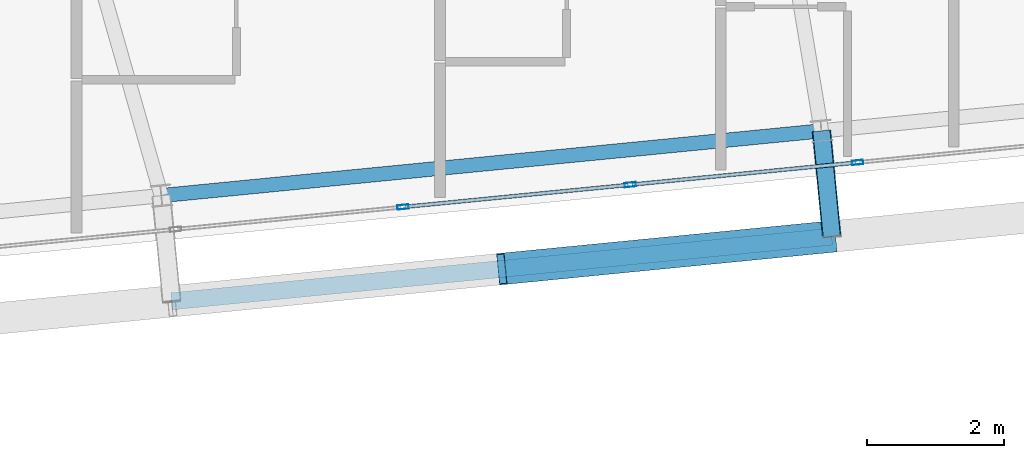
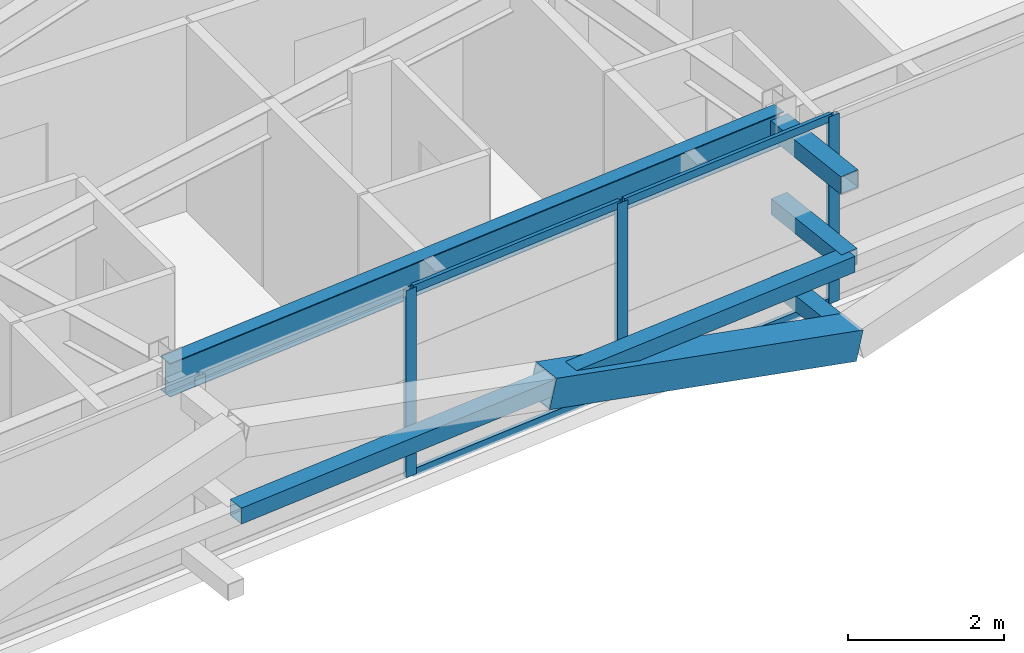
# One storey, part 18 of 53: 12 members, 1 beam, 1 element without a shape of its own.
"""IFC4 building model written with IfcOpenShell, lengths in metres."""

from ifc_helpers import new_model, si_unit, direction, frame, origin, origin_2d, place, context, subcontext, project, spatial, hollow_rectangle, i_section, extrude, source, transform, mapped, material, layer, layer_set, material_profile, profile_set, type_object, element, aggregate, save


model = new_model("IFC4")

# Units and contexts
model_context = context("Model", 3, precision=1e-05, world=origin(), true_north=direction((0.0, 1.0)))
body_context = subcontext(model_context, "Body", "Model", "MODEL_VIEW")
ifc_project = project(units=[si_unit("LENGTHUNIT", "METRE"), si_unit("AREAUNIT", "SQUARE_METRE"), si_unit("VOLUMEUNIT", "CUBIC_METRE"), si_unit("PLANEANGLEUNIT", "RADIAN"), si_unit("MASSUNIT", "GRAM", prefix="KILO")], contexts=[model_context])

# Site, building, storey
site_placement = place(None, origin())
site = spatial("IfcSite", under=ifc_project, at=site_placement, CompositionType="ELEMENT")
building_placement = place(site_placement, origin())
building = spatial("IfcBuilding", under=site, at=building_placement, Name="Taldren Reach Tower", CompositionType="ELEMENT")
storey_placement = place(building_placement, frame((0.0, 0.0, 68.25)))
storey = spatial("IfcBuildingStorey", under=building, at=storey_placement, Name="L20", CompositionType="ELEMENT", Elevation=68.25)

# Members
ifc_material_1 = material(Name="Steel Gr 450 (C450L0)", Category="steel")
ifc_material_profile_1 = material_profile(ifc_material_1, hollow_rectangle(XDim=0.27490234375, YDim=0.27490234375, WallThickness=0.00927734375, at=origin_2d()), Name="275x275x9.3SHS")
ifc_profile_set_1 = profile_set([ifc_material_profile_1], Name="Steel Gr 450 (C450L0)")
member_type_1 = type_object("IfcMemberType", Name="MB-TIE273", PredefinedType="STRUT", material=ifc_profile_set_1)
shared_shape_1 = source(origin(), body_context, "Body", "SweptSolid", [
    extrude(hollow_rectangle(XDim=0.27490234375, YDim=0.27490234375, WallThickness=0.00927734375, at=origin_2d()), origin(), (0.0, 0.0, 1.0), 1.5498046875),
])
member_1_placement = place(storey_placement, frame((53.469482421875, 3.698486328125, 2.64990234375), z_axis=(0.097507178627, -0.995234821595, 0.0), x_axis=(0.995234821595, 0.097507178627, 0.0)))
element("IfcMember", 1, at=member_1_placement, inside=storey, type_object=member_type_1, Name="Exoskeleton diaphragm tie strut B2-S5 L20", PredefinedType="STRUT", context=body_context, shape_type="MappedRepresentation", body=[
    mapped(shared_shape_1, transform((0.0, 0.0, 0.0), scale=1.0)),
])
ifc_material_2 = material(Name="Steel Gr 350 (C350L0)", Category="steel")
ifc_material_profile_2 = material_profile(ifc_material_2, hollow_rectangle(XDim=0.25, YDim=0.25, WallThickness=0.010009765625, at=origin_2d()), Name="250x250x10.0SHS")
ifc_profile_set_2 = profile_set([ifc_material_profile_2], Name="Steel Gr 350 (C350L0)")
member_type_2 = type_object("IfcMemberType", Name="MB-POST250", PredefinedType="POST", material=ifc_profile_set_2)
shared_shape_2 = source(origin(), body_context, "Body", "SweptSolid", [
    extrude(hollow_rectangle(XDim=0.25, YDim=0.25, WallThickness=0.010009765625, at=origin_2d()), origin(), (0.0, 0.0, 1.0), 1.5498046875),
])
for number, where, z_axis, x_axis, name in (
    (2, (53.469482421875, 3.698486328125, 0.219970703125), (0.097507178627, -0.995234821595, 0.0), (0.995234821595, 0.097507178627, 0.0), "Exoskeleton base diaphragm tie strut B2-S5 L20"),
    (3, (53.469482421875, 3.698486328125, 1.43505859375), (0.097507178627, -0.995234821595, 0.0), (0.995234821595, 0.097507178627, 0.0), "Exoskeleton mid-tier diaphragm tie B2-S5 L20"),
):
    element("IfcMember", number, at=place(storey_placement, frame(where, z_axis=z_axis, x_axis=x_axis)), inside=storey, type_object=member_type_2, Name=name, PredefinedType="POST", context=body_context, shape_type="MappedRepresentation", body=[
        mapped(shared_shape_2, transform((0.0, 0.0, 0.0), scale=1.0)),
    ])

# Beam
ifc_material_3 = material(Name="Steel Gr 350 (350PLUS)", Category="steel")
ifc_material_profile_3 = material_profile(ifc_material_3, i_section(OverallWidth=0.208984375, OverallDepth=0.528076171875, WebThickness=0.009521484375, FlangeThickness=0.01318359375, at=origin_2d()), Name="530UB82.0")
ifc_profile_set_3 = profile_set([ifc_material_profile_3], Name="Steel Gr 350 (350PLUS)")
beam_type = type_object("IfcBeamType", Name="SP-UB530B", PredefinedType="SPANDREL", material=ifc_profile_set_3)
shared_shape_3 = source(origin(), body_context, "Body", "SweptSolid", [
    extrude(i_section(OverallWidth=0.208984375, OverallDepth=0.528076171875, WebThickness=0.009521484375, FlangeThickness=0.01318359375, at=origin_2d()), origin(), (0.0, 0.0, 1.0), 9.68017578125),
])
beam_placement = place(storey_placement, frame((43.83544921875, 2.75390625, 2.666015625), z_axis=(0.995227852805, 0.097578281404, 0.0), x_axis=(-0.097578281404, 0.995227852805, 0.0)))
element("IfcBeam", 4, at=beam_placement, inside=storey, type_object=beam_type, Name="Perimeter spandrel B2 S4-S5 L20", PredefinedType="SPANDREL", context=body_context, shape_type="MappedRepresentation", body=[
    mapped(shared_shape_3, transform((0.0, 0.0, 0.0), scale=1.0)),
])

# Members
ifc_material_profile_4 = material_profile(ifc_material_1, hollow_rectangle(XDim=0.4599609375, YDim=0.4599609375, WallThickness=0.01611328125, at=origin_2d()), Name="460x460x16.0SHS")
ifc_profile_set_4 = profile_set([ifc_material_profile_4], Name="Steel Gr 450 (C450L0)")
member_type_3 = type_object("IfcMemberType", Name="MB-EXO457", PredefinedType="BRACE", material=ifc_profile_set_4)
shared_shape_4 = source(origin(), body_context, "Body", "SweptSolid", [
    extrude(hollow_rectangle(XDim=0.4599609375, YDim=0.4599609375, WallThickness=0.01611328125, at=origin_2d()), origin(), (0.0, 0.0, 1.0), 4.990234375),
])
member_2_placement = place(storey_placement, frame((53.62060546875, 2.156005859375, 0.219970703125), z_axis=(-0.965271056716, -0.094667992638, 0.243494883389), x_axis=(0.097605711627, -0.995225162995, 0.0)))
element("IfcMember", 5, at=member_2_placement, inside=storey, type_object=member_type_3, Name="Exoskeleton Diagrid Brace B2-S4 L20", PredefinedType="BRACE", context=body_context, shape_type="MappedRepresentation", body=[
    mapped(shared_shape_4, transform((0.0, 0.0, 0.0), scale=1.0)),
])
shared_shape_5 = source(origin(), body_context, "Body", "SweptSolid", [
    extrude(hollow_rectangle(XDim=0.25, YDim=0.25, WallThickness=0.010009765625, at=origin_2d()), origin(), (0.0, 0.0, 1.0), 9.679931640625),
])
member_3_placement = place(storey_placement, frame((43.98681640625, 1.21142578125, 1.43505859375), z_axis=(0.995227612658, 0.097580730699, 0.0), x_axis=(-0.097580730699, 0.995227612658, 0.0)))
element("IfcMember", 6, at=member_3_placement, inside=storey, type_object=member_type_2, Name="Exoskeleton mid-height ring chord B2-S4 L20", PredefinedType="POST", context=body_context, shape_type="MappedRepresentation", body=[
    mapped(shared_shape_5, transform((0.0, 0.0, 0.0), scale=1.0)),
])

# Curtain wall, members
ifc_material_4 = material(Name="Aluminium and Low-E Glass Unitised System", Category="aluminium")
ifc_layer = layer(ifc_material_4, 0.159912109375)
ifc_layer_set = layer_set([ifc_layer], Name="Aluminium and Low-E Glass Unitised System")
curtain_wall_type = type_object("IfcCurtainWallType", Name="CW-SYS-3", PredefinedType="NOTDEFINED", material=ifc_layer_set)
curtain_wall_placement = place(storey_placement, origin())
curtain_wall = element("IfcCurtainWall", 7, at=curtain_wall_placement, inside=storey, type_object=curtain_wall_type, Name="Unitised curtain wall CW-L20-S", PredefinedType="NOTDEFINED")
ifc_material_5 = material(Name="Anodised Aluminium 6063-T6", Category="aluminium")
ifc_material_profile_5 = material_profile(ifc_material_5, hollow_rectangle(XDim=0.06494140625, YDim=0.1650390625, WallThickness=0.00390625, at=origin_2d()), Name="ALU-165x65x4RHS")
ifc_profile_set_5 = profile_set([ifc_material_profile_5], Name="Anodised Aluminium 6063-T6")
member_type_4 = type_object("IfcMemberType", Name="CW-MUL-165", PredefinedType="MULLION", material=ifc_profile_set_5)
shared_shape_6 = source(origin(), body_context, "Body", "SweptSolid", [
    extrude(hollow_rectangle(XDim=0.06494140625, YDim=0.1650390625, WallThickness=0.00390625, at=origin_2d()), origin(), (0.0, 0.0, 1.0), 2.929931640625),
])
member_4_placement = place(storey_placement, frame((47.362060546875, 2.587158203125, 0.0), z_axis=(0.0, 0.0, 1.0), x_axis=(-0.097582999046, 0.995227390247, 0.0)))
member_4 = element("IfcMember", 8, at=member_4_placement, type_object=member_type_4, Name="CW-3 mullion 11", PredefinedType="MULLION", context=body_context, shape_type="MappedRepresentation", body=[
    mapped(shared_shape_6, transform((0.0, 0.0, 0.0), scale=1.0)),
])
member_5_placement = place(storey_placement, frame((50.679443359375, 2.91259765625, 0.0), z_axis=(0.0, 0.0, 1.0), x_axis=(-0.097582999046, 0.995227390247, 0.0)))
member_5 = element("IfcMember", 9, at=member_5_placement, type_object=member_type_4, Name="CW-3 mullion 12", PredefinedType="MULLION", context=body_context, shape_type="MappedRepresentation", body=[
    mapped(shared_shape_6, transform((0.0, 0.0, 0.0), scale=1.0)),
])
member_6_placement = place(storey_placement, frame((53.996826171875, 3.23779296875, 0.0), z_axis=(0.0, 0.0, 1.0), x_axis=(-0.097582999046, 0.995227390247, 0.0)))
member_6 = element("IfcMember", 10, at=member_6_placement, type_object=member_type_4, Name="CW-3 mullion 13", PredefinedType="MULLION", context=body_context, shape_type="MappedRepresentation", body=[
    mapped(shared_shape_6, transform((0.0, 0.0, 0.0), scale=1.0)),
])
ifc_material_profile_6 = material_profile(ifc_material_5, hollow_rectangle(XDim=0.054931640625, YDim=0.1201171875, WallThickness=0.0029296875, at=origin_2d()), Name="ALU-120x55x3RHS")
ifc_profile_set_6 = profile_set([ifc_material_profile_6], Name="Anodised Aluminium 6063-T6")
member_type_5 = type_object("IfcMemberType", Name="CW-TRN-135", PredefinedType="USERDEFINED", material=ifc_profile_set_6)
shared_shape_7 = source(origin(), body_context, "Body", "SweptSolid", [
    extrude(hollow_rectangle(XDim=0.054931640625, YDim=0.1201171875, WallThickness=0.0029296875, at=origin_2d()), origin(), (0.0, 0.0, 1.0), 3.268310546875),
])
member_7_placement = place(storey_placement, frame((47.394287109375, 2.59033203125, 0.027587890625), z_axis=(0.995222549564, 0.097632355496, 0.0), x_axis=(-0.097632355496, 0.995222549564, 0.0)))
member_7 = element("IfcMember", 11, at=member_7_placement, type_object=member_type_5, Name="CW-3 transom 11.1", ObjectType="TRANSOM", PredefinedType="USERDEFINED", context=body_context, shape_type="MappedRepresentation", body=[
    mapped(shared_shape_7, transform((0.0, 0.0, 0.0), scale=1.0)),
])
member_8_placement = place(storey_placement, frame((47.394287109375, 2.59033203125, 2.902587890625), z_axis=(0.995222549564, 0.097632355496, 0.0), x_axis=(-0.097632355496, 0.995222549564, 0.0)))
member_8 = element("IfcMember", 12, at=member_8_placement, type_object=member_type_5, Name="CW-3 transom 11.2", ObjectType="TRANSOM", PredefinedType="USERDEFINED", context=body_context, shape_type="MappedRepresentation", body=[
    mapped(shared_shape_7, transform((0.0, 0.0, 0.0), scale=1.0)),
])
shared_shape_8 = source(origin(), body_context, "Body", "SweptSolid", [
    extrude(hollow_rectangle(XDim=0.054931640625, YDim=0.1201171875, WallThickness=0.0029296875, at=origin_2d()), origin(), (0.0, 0.0, 1.0), 3.2685546875),
])
member_9_placement = place(storey_placement, frame((50.711669921875, 2.915771484375, 0.027587890625), z_axis=(0.99523051601, 0.097551114824, 0.0), x_axis=(-0.097551114824, 0.99523051601, 0.0)))
member_9 = element("IfcMember", 13, at=member_9_placement, type_object=member_type_5, Name="CW-3 transom 12.1", ObjectType="TRANSOM", PredefinedType="USERDEFINED", context=body_context, shape_type="MappedRepresentation", body=[
    mapped(shared_shape_8, transform((0.0, 0.0, 0.0), scale=1.0)),
])
member_10_placement = place(storey_placement, frame((50.711669921875, 2.915771484375, 2.902587890625), z_axis=(0.99523051601, 0.097551114824, 0.0), x_axis=(-0.097551114824, 0.99523051601, 0.0)))
member_10 = element("IfcMember", 14, at=member_10_placement, type_object=member_type_5, Name="CW-3 transom 12.2", ObjectType="TRANSOM", PredefinedType="USERDEFINED", context=body_context, shape_type="MappedRepresentation", body=[
    mapped(shared_shape_8, transform((0.0, 0.0, 0.0), scale=1.0)),
])
aggregate(curtain_wall, [member_4, member_5, member_6, member_7, member_8, member_9, member_10])

save(model, "model.ifc")
